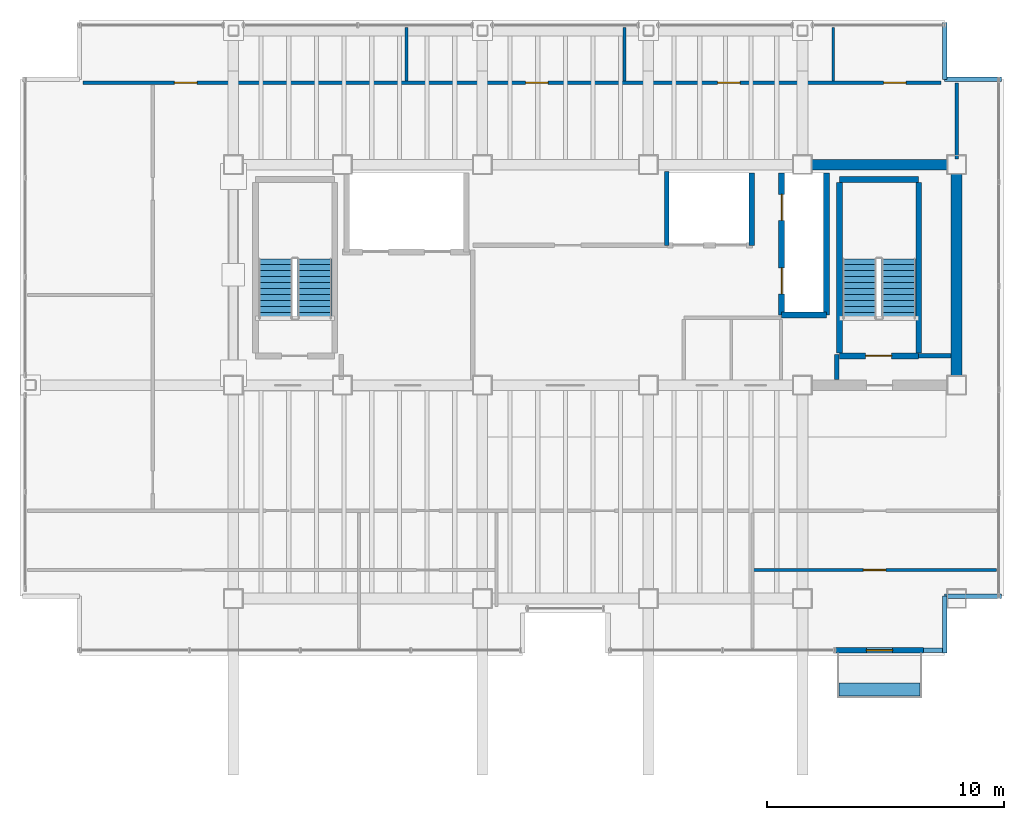
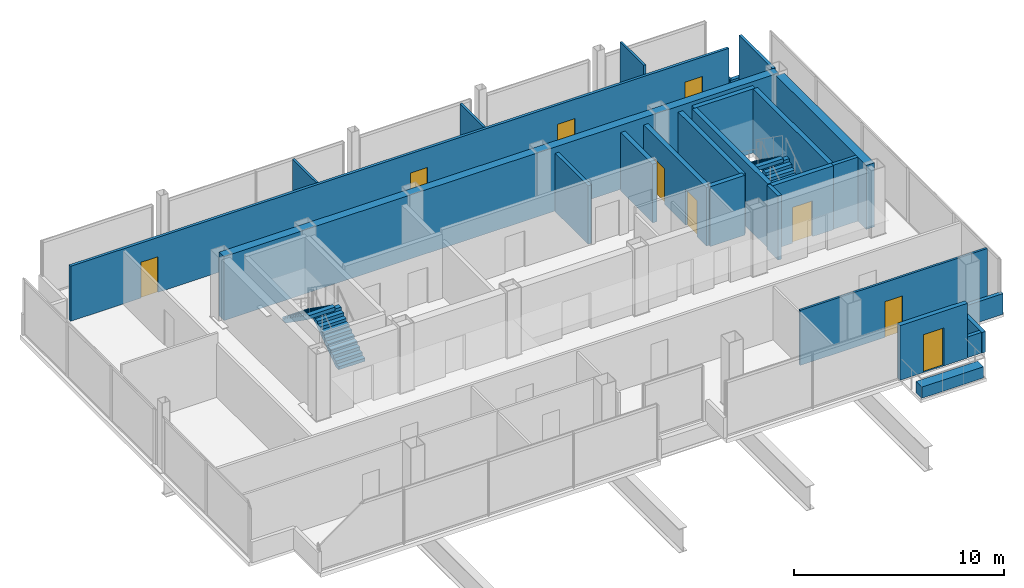
# One storey, part 18 of 19: 25 walls, 9 doors, 4 stair flights, 1 discrete accessory, 9 openings, 2 elements without a shape of their own.
"""IFC4 building model written with IfcOpenShell, lengths in metres."""

from ifc_helpers import new_model, si_unit, direction, frame, frame_2d, origin, origin_2d, place, context, subcontext, project, spatial, polyline, rectangle, outline, extrude, material, layer, layer_set, type_object, element, fill, aggregate, save


model = new_model("IFC4")

# Units and contexts
model_context = context("Model", 3, precision=1e-05, world=origin(), true_north=direction((0.0, 1.0)))
body_context = subcontext(model_context, "Body", "Model", "MODEL_VIEW")
ifc_project = project(units=[si_unit("LENGTHUNIT", "METRE"), si_unit("AREAUNIT", "SQUARE_METRE"), si_unit("VOLUMEUNIT", "CUBIC_METRE"), si_unit("PLANEANGLEUNIT", "RADIAN"), si_unit("MASSUNIT", "GRAM", prefix="KILO")], contexts=[model_context])

# Site, building, storey
site_placement = place(None, origin())
site = spatial("IfcSite", under=ifc_project, at=site_placement, CompositionType="ELEMENT")
building_placement = place(site_placement, origin())
building = spatial("IfcBuilding", under=site, at=building_placement, Name="Noeulbin Bourse Tower", CompositionType="ELEMENT")
storey_placement = place(building_placement, frame((0.0, 0.0, 257.89990234375)))
storey = spatial("IfcBuildingStorey", under=building, at=storey_placement, Name="L64", CompositionType="ELEMENT", Elevation=257.89990234375)

# Walls
ifc_material_1 = material(Name="Concrete C50/60", Category="concrete")
ifc_layer_1 = layer(ifc_material_1, 0.449951171875)
ifc_layer_set_1 = layer_set([ifc_layer_1], Name="Concrete C50/60")
wall_type_1 = type_object("IfcWallType", Name="WAL-CORE-450", PredefinedType="SHEAR", material=ifc_layer_set_1)
wall_1_placement = place(storey_placement, frame((13.5, 38.300048828125, 0.0), z_axis=(0.0, 0.0, 1.0), x_axis=(1.0, 0.0, 0.0)))
element("IfcWall", 1, at=wall_1_placement, inside=storey, type_object=wall_type_1, Name="Rear Core North Shear Wall L64", PredefinedType="SHEAR", context=body_context, shape_type="SweptSolid", body=[
    extrude(rectangle(XDim=30.5, YDim=0.449951171875, at=frame_2d((15.25, 0.0))), origin(), (0.0, 0.0, 1.0), 3.72021484375),
])
wall_2_placement = place(storey_placement, frame((44.0, 29.35009765625, 0.0), z_axis=(0.0, 0.0, 1.0), x_axis=(0.0, 1.0, 0.0)))
element("IfcWall", 2, at=wall_2_placement, inside=storey, type_object=wall_type_1, Name="Rear Core East Shear Wall L64", PredefinedType="SHEAR", context=body_context, shape_type="SweptSolid", body=[
    extrude(rectangle(XDim=8.599853515625, YDim=0.449951171875, at=frame_2d((4.2998046875, 0.0))), origin(), (0.0, 0.0, 1.0), 3.72021484375),
])

# Wall, opening, door
ifc_material_2 = material(Name="Precast Concrete C40/50", Category="concrete")
ifc_layer_2 = layer(ifc_material_2, 0.25)
ifc_layer_set_2 = layer_set([ifc_layer_2], Name="Precast Concrete C40/50")
wall_type_2 = type_object("IfcWallType", Name="WAL-EXT-250", PredefinedType="STANDARD", material=ifc_layer_set_2)
wall_3_placement = place(storey_placement, frame((38.89990234375, 17.820068359375, 0.0), z_axis=(0.0, 0.0, 1.0), x_axis=(1.0, 0.0, 0.0)))
wall_3 = element("IfcWall", 3, at=wall_3_placement, inside=storey, type_object=wall_type_2, Name="Balcony Threshold Wall L64", PredefinedType="STANDARD", context=body_context, shape_type="SweptSolid", body=[
    extrude(rectangle(XDim=3.7001953125, YDim=0.25, at=frame_2d((1.85009765625, 0.0))), origin(), (0.0, 0.0, 1.0), 3.18017578125),
])
opening_1_placement = place(wall_3_placement, frame((1.300048828125, 0.0, 0.0)))
opening_1 = element("IfcOpeningElement", 4, at=opening_1_placement, cuts=wall_3, Name="Opening BD-11", PredefinedType="OPENING", context=body_context, shape_type="SweptSolid", body=[
    extrude(rectangle(XDim=1.10009765625, YDim=2.199951171875, at=frame_2d((0.550048828125, 1.10009765625))), frame((0.0, 0.135009765625, 0.0), z_axis=(0.0, -1.0, 0.0), x_axis=(1.0, 0.0, 0.0)), (0.0, 0.0, 1.0), 0.27001953125),
])
ifc_material_3 = material(Name="Thermally Broken Aluminium Framed Glass", Category="aluminium")
door_type_1 = type_object("IfcDoorType", Name="DR-BAL-1100", OperationType="SINGLE_SWING_LEFT", PredefinedType="DOOR", material=ifc_material_3)
door_1_placement = place(opening_1_placement, origin())
door_1 = element("IfcDoor", 5, at=door_1_placement, inside=storey, type_object=door_type_1, Name="Tree-Balcony Access Door BD-L64", OperationType="SINGLE_SWING_RIGHT", OverallHeight=2.199951171875, OverallWidth=1.10009765625, PredefinedType="DOOR", context=body_context, shape_type="SweptSolid", body=[
    extrude(rectangle(XDim=1.10009765625, YDim=2.199951171875, at=frame_2d((0.550048828125, 1.10009765625))), frame((0.0, 0.02490234375, 0.0), z_axis=(0.0, -1.0, 0.0), x_axis=(1.0, 0.0, 0.0)), (0.0, 0.0, 1.0), 0.050048828125),
])
fill(opening_1, door_1)

# Walls
ifc_material_4 = material(Name="Concrete C40/50", Category="concrete")
ifc_layer_3 = layer(ifc_material_4, 0.199951171875)
ifc_layer_set_3 = layer_set([ifc_layer_3], Name="Concrete C40/50")
wall_type_3 = type_object("IfcWallType", Name="WAL-FIRE-200", PredefinedType="STANDARD", material=ifc_layer_set_3)
wall_4_placement = place(storey_placement, frame((42.39990234375, 30.239990234375, 0.0), z_axis=(0.0, 0.0, 1.0), x_axis=(1.0, 0.0, 0.0)))
element("IfcWall", 6, at=wall_4_placement, inside=storey, type_object=wall_type_3, Name="Interior Partition Wall L64-01", PredefinedType="STANDARD", context=body_context, shape_type="SweptSolid", body=[
    extrude(rectangle(XDim=1.364990234375, YDim=0.199951171875, at=frame_2d((0.6826171875, 0.0))), origin(), (0.0, 0.0, 1.0), 3.72021484375),
])
wall_5_placement = place(storey_placement, frame((38.949951171875, 29.235107421875, 0.0), z_axis=(0.0, 0.0, 1.0), x_axis=(0.0, 1.0, 0.0)))
element("IfcWall", 7, at=wall_5_placement, inside=storey, type_object=wall_type_3, Name="Interior Partition Wall L64-11", PredefinedType="STANDARD", context=body_context, shape_type="SweptSolid", body=[
    extrude(rectangle(XDim=1.06494140625, YDim=0.199951171875, at=frame_2d((0.532470703125, 0.0))), origin(), (0.0, 0.0, 1.0), 3.72021484375),
])
ifc_layer_4 = layer(ifc_material_4, 0.199951171875)
ifc_layer_set_4 = layer_set([ifc_layer_4], Name="Concrete C40/50")
wall_type_4 = type_object("IfcWallType", Name="WAL-PAR-200", PredefinedType="PARAPET", material=ifc_layer_set_4)
wall_6_placement = place(storey_placement, frame((42.60009765625, 17.820068359375, 0.0), z_axis=(0.0, 0.0, 1.0), x_axis=(1.0, 0.0, 0.0)))
element("IfcWall", 8, at=wall_6_placement, inside=storey, type_object=wall_type_4, Name="Perimeter Pier Spandrel Parapet L64-S1", PredefinedType="PARAPET", context=body_context, shape_type="SweptSolid", body=[
    extrude(rectangle(XDim=0.7998046875, YDim=0.199951171875, at=frame_2d((0.39990234375, 0.0))), origin(), (0.0, 0.0, 1.0), 1.2001953125),
])
wall_7_placement = place(storey_placement, frame((43.5, 17.699951171875, 0.0), z_axis=(0.0, 0.0, 1.0), x_axis=(0.0, 1.0, 0.0)))
element("IfcWall", 9, at=wall_7_placement, inside=storey, type_object=wall_type_4, Name="Corner Notch Parapet L64-SE1", PredefinedType="PARAPET", context=body_context, shape_type="SweptSolid", body=[
    extrude(rectangle(XDim=2.400146484375, YDim=0.199951171875, at=frame_2d((1.2001953125, 0.0))), origin(), (0.0, 0.0, 1.0), 1.2001953125),
])
wall_8_placement = place(storey_placement, frame((43.5, 20.10009765625, 0.0), z_axis=(0.0, 0.0, 1.0), x_axis=(1.0, 0.0, 0.0)))
element("IfcWall", 10, at=wall_8_placement, inside=storey, type_object=wall_type_4, Name="Corner Notch Parapet L64-SE2", PredefinedType="PARAPET", context=body_context, shape_type="SweptSolid", body=[
    extrude(rectangle(XDim=2.39990234375, YDim=0.199951171875, at=frame_2d((1.199951171875, 0.0))), origin(), (0.0, 0.0, 1.0), 1.2001953125),
])
wall_9_placement = place(storey_placement, frame((43.5, 44.300048828125, 0.0), z_axis=(0.0, 0.0, 1.0), x_axis=(0.0, -1.0, 0.0)))
element("IfcWall", 11, at=wall_9_placement, inside=storey, type_object=wall_type_4, Name="Corner Notch Parapet L64-NE1", PredefinedType="PARAPET", context=body_context, shape_type="SweptSolid", body=[
    extrude(rectangle(XDim=2.400146484375, YDim=0.199951171875, at=frame_2d((1.2001953125, 0.0))), origin(), (0.0, 0.0, 1.0), 1.2001953125),
])
wall_10_placement = place(storey_placement, frame((43.5, 41.89990234375, 0.0), z_axis=(0.0, 0.0, 1.0), x_axis=(1.0, 0.0, 0.0)))
element("IfcWall", 12, at=wall_10_placement, inside=storey, type_object=wall_type_4, Name="Corner Notch Parapet L64-NE2", PredefinedType="PARAPET", context=body_context, shape_type="SweptSolid", body=[
    extrude(rectangle(XDim=2.39990234375, YDim=0.199951171875, at=frame_2d((1.199951171875, 0.0))), origin(), (0.0, 0.0, 1.0), 1.2001953125),
])

# Wall, opening, door
ifc_material_5 = material(Name="Steel Stud Gypsum Partition", Category="steel")
ifc_layer_5 = layer(ifc_material_5, 0.1201171875)
ifc_layer_set_5 = layer_set([ifc_layer_5], Name="Steel Stud Gypsum Partition")
wall_type_5 = type_object("IfcWallType", Name="WAL-PRT-120", PredefinedType="PARTITIONING", material=ifc_layer_set_5)
wall_11_placement = place(storey_placement, frame((35.39990234375, 21.199951171875, 0.0), z_axis=(0.0, 0.0, 1.0), x_axis=(1.0, 0.0, 0.0)))
wall_11 = element("IfcWall", 13, at=wall_11_placement, inside=storey, type_object=wall_type_5, Name="Interior Partition Wall L64-07", PredefinedType="PARTITIONING", context=body_context, shape_type="SweptSolid", body=[
    extrude(rectangle(XDim=10.2900390625, YDim=0.1201171875, at=frame_2d((5.14501953125, 0.0))), origin(), (0.0, 0.0, 1.0), 3.2001953125),
])
opening_2_placement = place(wall_11_placement, frame((4.669921875, 0.0, 0.0)))
opening_2 = element("IfcOpeningElement", 14, at=opening_2_placement, cuts=wall_11, Name="Opening ID-09", PredefinedType="OPENING", context=body_context, shape_type="SweptSolid", body=[
    extrude(rectangle(XDim=0.949951171875, YDim=2.080078125, at=frame_2d((0.47509765625, 1.0400390625))), frame((0.0, 0.070068359375, 0.0), z_axis=(0.0, -1.0, 0.0), x_axis=(1.0, 0.0, 0.0)), (0.0, 0.0, 1.0), 0.14013671875),
])
ifc_material_6 = material(Name="Acoustic Solid-Core Timber", Category="wood")
door_type_2 = type_object("IfcDoorType", Name="DR-SINGLE-950", OperationType="SINGLE_SWING_LEFT", PredefinedType="DOOR", material=ifc_material_6)
door_2_placement = place(opening_2_placement, origin())
door_2 = element("IfcDoor", 15, at=door_2_placement, inside=storey, type_object=door_type_2, Name="Interior Door L64-13", OperationType="SINGLE_SWING_RIGHT", OverallHeight=2.080078125, OverallWidth=0.949951171875, PredefinedType="DOOR", context=body_context, shape_type="SweptSolid", body=[
    extrude(rectangle(XDim=0.949951171875, YDim=2.080078125, at=frame_2d((0.47509765625, 1.0400390625))), frame((0.0, 0.02490234375, 0.0), z_axis=(0.0, -1.0, 0.0), x_axis=(1.0, 0.0, 0.0)), (0.0, 0.0, 1.0), 0.050048828125),
])
fill(opening_2, door_2)

# Walls
for number, where, z_axis, x_axis, name in (
    (16, (20.800048828125, 41.8349609375, 0.0), (0.0, 0.0, 1.0), (0.0, 1.0, 0.0), "Interior Partition Wall L64-21"),
    (17, (30.0, 41.8349609375, 0.0), (0.0, 0.0, 1.0), (0.0, 1.0, 0.0), "Interior Partition Wall L64-22"),
):
    element("IfcWall", number, at=place(storey_placement, frame(where, z_axis=z_axis, x_axis=x_axis)), inside=storey, type_object=wall_type_5, Name=name, PredefinedType="PARTITIONING", context=body_context, shape_type="SweptSolid", body=[
        extrude(rectangle(XDim=2.255126953125, YDim=0.1201171875, at=frame_2d((1.12744140625, 0.0))), origin(), (0.0, 0.0, 1.0), 3.212158203125),
    ])
wall_12_placement = place(storey_placement, frame((38.800048828125, 41.8349609375, 0.0), z_axis=(0.0, 0.0, 1.0), x_axis=(0.0, 1.0, 0.0)))
element("IfcWall", 18, at=wall_12_placement, inside=storey, type_object=wall_type_5, Name="Interior Partition Wall L64-23", PredefinedType="PARTITIONING", context=body_context, shape_type="SweptSolid", body=[
    extrude(rectangle(XDim=2.255126953125, YDim=0.1201171875, at=frame_2d((1.12744140625, 0.0))), origin(), (0.0, 0.0, 1.0), 3.72021484375),
])

# Wall, openings, doors
ifc_material_7 = material(Name="Steel Stud Acoustic Gypsum Board", Category="steel")
ifc_layer_6 = layer(ifc_material_7, 0.14990234375)
ifc_layer_set_6 = layer_set([ifc_layer_6], Name="Steel Stud Acoustic Gypsum Board")
wall_type_6 = type_object("IfcWallType", Name="WAL-PRT-150", PredefinedType="PARTITIONING", material=ifc_layer_set_6)
wall_13_placement = place(storey_placement, frame((7.159912109375, 41.75, 0.0), z_axis=(0.0, 0.0, 1.0), x_axis=(1.0, 0.0, 0.0)))
wall_13 = element("IfcWall", 19, at=wall_13_placement, inside=storey, type_object=wall_type_6, Name="Interior Partition Wall L64-09", PredefinedType="PARTITIONING", context=body_context, shape_type="SweptSolid", body=[
    extrude(rectangle(XDim=36.18017578125, YDim=0.14990234375, at=frame_2d((18.090087890625, 0.0))), origin(), (0.0, 0.0, 1.0), 3.2001953125),
])
opening_3_placement = place(wall_13_placement, frame((3.85498046875, 0.0, 0.0)))
opening_3 = element("IfcOpeningElement", 20, at=opening_3_placement, cuts=wall_13, Name="Opening ID-09", PredefinedType="OPENING", context=body_context, shape_type="SweptSolid", body=[
    extrude(rectangle(XDim=0.949951171875, YDim=2.080078125, at=frame_2d((0.47509765625, 1.0400390625))), frame((0.0, 0.0849609375, 0.0), z_axis=(0.0, -1.0, 0.0), x_axis=(1.0, 0.0, 0.0)), (0.0, 0.0, 1.0), 0.169921875),
])
opening_4_placement = place(wall_13_placement, frame((18.6650390625, 0.0, 0.0)))
opening_4 = element("IfcOpeningElement", 21, at=opening_4_placement, cuts=wall_13, Name="Opening ID-09", PredefinedType="OPENING", context=body_context, shape_type="SweptSolid", body=[
    extrude(rectangle(XDim=0.949951171875, YDim=2.080078125, at=frame_2d((0.47509765625, 1.0400390625))), frame((0.0, 0.0849609375, 0.0), z_axis=(0.0, -1.0, 0.0), x_axis=(1.0, 0.0, 0.0)), (0.0, 0.0, 1.0), 0.169921875),
])
opening_5_placement = place(wall_13_placement, frame((26.764892578125, 0.0, 0.0)))
opening_5 = element("IfcOpeningElement", 22, at=opening_5_placement, cuts=wall_13, Name="Opening ID-09", PredefinedType="OPENING", context=body_context, shape_type="SweptSolid", body=[
    extrude(rectangle(XDim=0.949951171875, YDim=2.080078125, at=frame_2d((0.47509765625, 1.0400390625))), frame((0.0, 0.0849609375, 0.0), z_axis=(0.0, -1.0, 0.0), x_axis=(1.0, 0.0, 0.0)), (0.0, 0.0, 1.0), 0.169921875),
])
opening_6_placement = place(wall_13_placement, frame((33.764892578125, 0.0, 0.0)))
opening_6 = element("IfcOpeningElement", 23, at=opening_6_placement, cuts=wall_13, Name="Opening ID-09", PredefinedType="OPENING", context=body_context, shape_type="SweptSolid", body=[
    extrude(rectangle(XDim=0.949951171875, YDim=2.080078125, at=frame_2d((0.47509765625, 1.0400390625))), frame((0.0, 0.0849609375, 0.0), z_axis=(0.0, -1.0, 0.0), x_axis=(1.0, 0.0, 0.0)), (0.0, 0.0, 1.0), 0.169921875),
])
door_3_placement = place(opening_3_placement, origin())
door_3 = element("IfcDoor", 24, at=door_3_placement, inside=storey, type_object=door_type_2, Name="Interior Door L64-17", OperationType="SINGLE_SWING_RIGHT", OverallHeight=2.080078125, OverallWidth=0.949951171875, PredefinedType="DOOR", context=body_context, shape_type="SweptSolid", body=[
    extrude(rectangle(XDim=0.949951171875, YDim=2.080078125, at=frame_2d((0.47509765625, 1.0400390625))), frame((0.0, 0.02490234375, 0.0), z_axis=(0.0, -1.0, 0.0), x_axis=(1.0, 0.0, 0.0)), (0.0, 0.0, 1.0), 0.050048828125),
])
fill(opening_3, door_3)
door_4_placement = place(opening_4_placement, origin())
door_4 = element("IfcDoor", 25, at=door_4_placement, inside=storey, type_object=door_type_2, Name="Interior Door L64-18", OperationType="SINGLE_SWING_LEFT", OverallHeight=2.080078125, OverallWidth=0.949951171875, PredefinedType="DOOR", context=body_context, shape_type="SweptSolid", body=[
    extrude(rectangle(XDim=0.949951171875, YDim=2.080078125, at=frame_2d((0.47509765625, 1.0400390625))), frame((0.0, 0.02490234375, 0.0), z_axis=(0.0, -1.0, 0.0), x_axis=(1.0, 0.0, 0.0)), (0.0, 0.0, 1.0), 0.050048828125),
])
fill(opening_4, door_4)
door_5_placement = place(opening_5_placement, origin())
door_5 = element("IfcDoor", 26, at=door_5_placement, inside=storey, type_object=door_type_2, Name="Interior Door L64-19", OperationType="SINGLE_SWING_RIGHT", OverallHeight=2.080078125, OverallWidth=0.949951171875, PredefinedType="DOOR", context=body_context, shape_type="SweptSolid", body=[
    extrude(rectangle(XDim=0.949951171875, YDim=2.080078125, at=frame_2d((0.47509765625, 1.0400390625))), frame((0.0, 0.02490234375, 0.0), z_axis=(0.0, -1.0, 0.0), x_axis=(1.0, 0.0, 0.0)), (0.0, 0.0, 1.0), 0.050048828125),
])
fill(opening_5, door_5)
door_6_placement = place(opening_6_placement, origin())
door_6 = element("IfcDoor", 27, at=door_6_placement, inside=storey, type_object=door_type_2, Name="Interior Door L64-20", OperationType="SINGLE_SWING_LEFT", OverallHeight=2.080078125, OverallWidth=0.949951171875, PredefinedType="DOOR", context=body_context, shape_type="SweptSolid", body=[
    extrude(rectangle(XDim=0.949951171875, YDim=2.080078125, at=frame_2d((0.47509765625, 1.0400390625))), frame((0.0, 0.02490234375, 0.0), z_axis=(0.0, -1.0, 0.0), x_axis=(1.0, 0.0, 0.0)), (0.0, 0.0, 1.0), 0.050048828125),
])
fill(opening_6, door_6)

# Wall
wall_14_placement = place(storey_placement, frame((44.0, 38.534912109375, 0.0), z_axis=(0.0, 0.0, 1.0), x_axis=(0.0, 1.0, 0.0)))
element("IfcWall", 28, at=wall_14_placement, inside=storey, type_object=wall_type_6, Name="Interior Partition Wall L64-20", PredefinedType="PARTITIONING", context=body_context, shape_type="SweptSolid", body=[
    extrude(rectangle(XDim=3.205078125, YDim=0.14990234375, at=frame_2d((1.6025390625, 0.0))), origin(), (0.0, 0.0, 1.0), 3.72021484375),
])

# Wall, opening, door
ifc_layer_7 = layer(ifc_material_4, 0.25)
ifc_layer_set_7 = layer_set([ifc_layer_7], Name="Concrete C40/50")
wall_type_7 = type_object("IfcWallType", Name="WAL-SHFT-250", PredefinedType="STANDARD", material=ifc_layer_set_7)
wall_15_placement = place(storey_placement, frame((39.06005859375, 30.235107421875, 0.0), z_axis=(0.0, 0.0, 1.0), x_axis=(1.0, 0.0, 0.0)))
wall_15 = element("IfcWall", 29, at=wall_15_placement, inside=storey, type_object=wall_type_7, Name="Stair ST-2 South Shaft Wall L64", PredefinedType="STANDARD", context=body_context, shape_type="SweptSolid", body=[
    extrude(rectangle(XDim=3.33984375, YDim=0.25, at=frame_2d((1.669921875, 0.0))), origin(), (0.0, 0.0, 1.0), 3.72021484375),
])
opening_7_placement = place(wall_15_placement, frame((1.10009765625, 0.0, 0.0)))
opening_7 = element("IfcOpeningElement", 30, at=opening_7_placement, cuts=wall_15, Name="Opening FD-11", PredefinedType="OPENING", context=body_context, shape_type="SweptSolid", body=[
    extrude(rectangle(XDim=1.10009765625, YDim=2.080078125, at=frame_2d((0.550048828125, 1.0400390625))), frame((0.0, 0.135009765625, 0.0), z_axis=(0.0, -1.0, 0.0), x_axis=(1.0, 0.0, 0.0)), (0.0, 0.0, 1.0), 0.27001953125),
])
ifc_material_8 = material(Name="Fire-Rated Insulated Steel", Category="steel")
door_type_3 = type_object("IfcDoorType", Name="DR-FD60-1100", OperationType="SINGLE_SWING_LEFT", PredefinedType="DOOR", material=ifc_material_8)
door_7_placement = place(opening_7_placement, origin())
door_7 = element("IfcDoor", 31, at=door_7_placement, inside=storey, type_object=door_type_3, Name="Protected Stair Entry Door ST2-L64", OperationType="SINGLE_SWING_LEFT", OverallHeight=2.080078125, OverallWidth=1.10009765625, PredefinedType="DOOR", context=body_context, shape_type="SweptSolid", body=[
    extrude(rectangle(XDim=1.10009765625, YDim=2.080078125, at=frame_2d((0.550048828125, 1.0400390625))), frame((0.0, 0.02490234375, 0.0), z_axis=(0.0, -1.0, 0.0), x_axis=(1.0, 0.0, 0.0)), (0.0, 0.0, 1.0), 0.050048828125),
])
fill(opening_7, door_7)

# Walls
wall_16_placement = place(storey_placement, frame((39.06005859375, 37.6689453125, 0.0), z_axis=(0.0, 0.0, 1.0), x_axis=(1.0, 0.0, 0.0)))
element("IfcWall", 32, at=wall_16_placement, inside=storey, type_object=wall_type_7, Name="Stair ST-2 North Shaft Wall L64", PredefinedType="STANDARD", context=body_context, shape_type="SweptSolid", body=[
    extrude(rectangle(XDim=3.33984375, YDim=0.25, at=frame_2d((1.669921875, 0.0))), origin(), (0.0, 0.0, 1.0), 3.72021484375),
])
for number, where, z_axis, x_axis, name in (
    (33, (39.054931640625, 30.360107421875, 0.0), (0.0, 0.0, 1.0), (0.0, 1.0, 0.0), "Stair ST-2 West Shaft Wall L64"),
    (34, (42.405029296875, 30.360107421875, 0.0), (0.0, 0.0, 1.0), (0.0, 1.0, 0.0), "Stair ST-2 East Shaft Wall L64"),
):
    element("IfcWall", number, at=place(storey_placement, frame(where, z_axis=z_axis, x_axis=x_axis)), inside=storey, type_object=wall_type_7, Name=name, PredefinedType="STANDARD", context=body_context, shape_type="SweptSolid", body=[
        extrude(rectangle(XDim=7.183837890625, YDim=0.25, at=frame_2d((3.591796875, 0.0))), origin(), (0.0, 0.0, 1.0), 3.72021484375),
    ])

# Wall, openings, doors
wall_17_placement = place(storey_placement, frame((36.6201171875, 31.949951171875, 0.0), z_axis=(0.0, 0.0, 1.0), x_axis=(0.0, 1.0, 0.0)))
wall_17 = element("IfcWall", 35, at=wall_17_placement, inside=storey, type_object=wall_type_7, Name="Service Lift Shaft Wall L64", PredefinedType="STANDARD", context=body_context, shape_type="SweptSolid", body=[
    extrude(rectangle(XDim=6.0, YDim=0.25, at=frame_2d((3.0, 0.0))), origin(), (0.0, 0.0, 1.0), 3.400146484375),
])
opening_8_placement = place(wall_17_placement, frame((0.89990234375, 0.0, 0.0)))
opening_8 = element("IfcOpeningElement", 36, at=opening_8_placement, cuts=wall_17, Name="Opening LD-11", PredefinedType="OPENING", context=body_context, shape_type="SweptSolid", body=[
    extrude(rectangle(XDim=1.10009765625, YDim=2.080078125, at=frame_2d((0.550048828125, 1.0400390625))), frame((0.0, 0.135009765625, 0.0), z_axis=(0.0, -1.0, 0.0), x_axis=(1.0, 0.0, 0.0)), (0.0, 0.0, 1.0), 0.27001953125),
])
opening_9_placement = place(wall_17_placement, frame((4.0, 0.0, 0.0)))
opening_9 = element("IfcOpeningElement", 37, at=opening_9_placement, cuts=wall_17, Name="Opening LD-11", PredefinedType="OPENING", context=body_context, shape_type="SweptSolid", body=[
    extrude(rectangle(XDim=1.10009765625, YDim=2.080078125, at=frame_2d((0.550048828125, 1.0400390625))), frame((0.0, 0.135009765625, 0.0), z_axis=(0.0, -1.0, 0.0), x_axis=(1.0, 0.0, 0.0)), (0.0, 0.0, 1.0), 0.27001953125),
])
ifc_material_9 = material(Name="Brushed Stainless Steel 316", Category="steel")
door_type_4 = type_object("IfcDoorType", Name="DR-LIFT-1100", OperationType="SLIDING_TO_LEFT", PredefinedType="DOOR", material=ifc_material_9)
door_8_placement = place(opening_8_placement, origin())
door_8 = element("IfcDoor", 38, at=door_8_placement, inside=storey, type_object=door_type_4, Name="Lift Landing Door LD-EL-01-L64", OperationType="SLIDING_TO_LEFT", OverallHeight=2.080078125, OverallWidth=1.10009765625, PredefinedType="DOOR", context=body_context, shape_type="SweptSolid", body=[
    extrude(rectangle(XDim=1.10009765625, YDim=2.080078125, at=frame_2d((0.550048828125, 1.0400390625))), frame((0.0, 0.02490234375, 0.0), z_axis=(0.0, -1.0, 0.0), x_axis=(1.0, 0.0, 0.0)), (0.0, 0.0, 1.0), 0.050048828125),
])
fill(opening_8, door_8)
door_9_placement = place(opening_9_placement, origin())
door_9 = element("IfcDoor", 39, at=door_9_placement, inside=storey, type_object=door_type_4, Name="Lift Landing Door LD-SV-01-L64", OperationType="SLIDING_TO_LEFT", OverallHeight=2.080078125, OverallWidth=1.10009765625, PredefinedType="DOOR", context=body_context, shape_type="SweptSolid", body=[
    extrude(rectangle(XDim=1.10009765625, YDim=2.080078125, at=frame_2d((0.550048828125, 1.0400390625))), frame((0.0, 0.02490234375, 0.0), z_axis=(0.0, -1.0, 0.0), x_axis=(1.0, 0.0, 0.0)), (0.0, 0.0, 1.0), 0.050048828125),
])
fill(opening_9, door_9)

# Walls
wall_18_placement = place(storey_placement, frame((38.52001953125, 31.949951171875, 0.0), z_axis=(0.0, 0.0, 1.0), x_axis=(0.0, 1.0, 0.0)))
element("IfcWall", 40, at=wall_18_placement, inside=storey, type_object=wall_type_7, Name="Service Lift East Shaft Wall L64", PredefinedType="STANDARD", context=body_context, shape_type="SweptSolid", body=[
    extrude(rectangle(XDim=6.0, YDim=0.25, at=frame_2d((3.0, 0.0))), origin(), (0.0, 0.0, 1.0), 3.47998046875),
])
wall_19_placement = place(storey_placement, frame((36.6201171875, 31.949951171875, 0.0), z_axis=(0.0, 0.0, 1.0), x_axis=(1.0, 0.0, 0.0)))
element("IfcWall", 41, at=wall_19_placement, inside=storey, type_object=wall_type_7, Name="Service Lift South Shaft Wall L64", PredefinedType="STANDARD", context=body_context, shape_type="SweptSolid", body=[
    extrude(rectangle(XDim=1.89990234375, YDim=0.25, at=frame_2d((0.949951171875, 0.0))), origin(), (0.0, 0.0, 1.0), 3.47998046875),
])
wall_20_placement = place(storey_placement, frame((35.360107421875, 34.89990234375, 0.0), z_axis=(0.0, 0.0, 1.0), x_axis=(0.0, 1.0, 0.0)))
element("IfcWall", 42, at=wall_20_placement, inside=storey, type_object=wall_type_7, Name="High-Rise Lift East Shaft Wall L64", PredefinedType="STANDARD", context=body_context, shape_type="SweptSolid", body=[
    extrude(rectangle(XDim=3.050048828125, YDim=0.25, at=frame_2d((1.52490234375, 0.0))), origin(), (0.0, 0.0, 1.0), 3.400146484375),
])
wall_21_placement = place(storey_placement, frame((31.780029296875, 34.89990234375, 0.0), z_axis=(0.0, 0.0, 1.0), x_axis=(0.0, 1.0, 0.0)))
element("IfcWall", 43, at=wall_21_placement, inside=storey, type_object=wall_type_7, Name="Hoistway Side Shaft Wall L64-PLHW", PredefinedType="STANDARD", context=body_context, shape_type="SweptSolid", body=[
    extrude(rectangle(XDim=3.1201171875, YDim=0.199951171875, at=frame_2d((1.56005859375, 0.0))), origin(), (0.0, 0.0, 1.0), 3.400146484375),
])

# Stair, stair flights
stair_type = type_object("IfcStairType", Name="STR-CORE-1560", PredefinedType="HALF_TURN_STAIR", material=ifc_material_4)
stair_1_placement = place(storey_placement, origin())
stair_1 = element("IfcStair", 44, at=stair_1_placement, inside=storey, type_object=stair_type, Name="L64 ST-1", PredefinedType="HALF_TURN_STAIR")
stair_flight_type = type_object("IfcStairFlightType", Name="SFL-CORE-1560", PredefinedType="STRAIGHT", material=ifc_material_4)
stair_flight_1_placement = place(storey_placement, frame((16.925048828125, 31.81005859375, 0.0), z_axis=(0.0, 0.0, 1.0), x_axis=(0.0, 1.0, 0.0)))
stair_flight_1 = element("IfcStairFlight", 45, at=stair_flight_1_placement, type_object=stair_flight_type, Name="ST-1 flight 1", NumberOfRisers=11, NumberOfTreads=10, PredefinedType="STRAIGHT", RiserHeight=0.177272727, TreadLength=0.252, context=body_context, shape_type="SweptSolid", body=[
    extrude(outline(polyline([(0.0, 0.0), (0.0, 0.17724609375), (0.251953125, 0.17724609375), (0.251953125, 0.3544921875), (0.50390625, 0.3544921875), (0.50390625, 0.53173828125), (0.756103515625, 0.53173828125), (0.756103515625, 0.708984375), (1.008056640625, 0.708984375), (1.008056640625, 0.886474609375), (1.260009765625, 0.886474609375), (1.260009765625, 1.063720703125), (1.511962890625, 1.063720703125), (1.511962890625, 1.240966796875), (1.763916015625, 1.240966796875), (1.763916015625, 1.418212890625), (2.01611328125, 1.418212890625), (2.01611328125, 1.595458984375), (2.26806640625, 1.595458984375), (2.26806640625, 1.772705078125), (2.52001953125, 1.772705078125), (2.52001953125, 1.949951171875), (2.52001953125, 1.552734375), (0.312744140625, 0.0), (0.0, 0.0)])), frame((0.0, 0.72509765625, 0.0), z_axis=(0.0, -1.0, 0.0), x_axis=(1.0, 0.0, 0.0)), (0.0, 0.0, 1.0), 1.449951171875),
])
stair_flight_2_placement = place(storey_placement, frame((15.27490234375, 34.330078125, 1.9501953125), z_axis=(0.0, 0.0, 1.0), x_axis=(0.0, -1.0, 0.0)))
stair_flight_2 = element("IfcStairFlight", 46, at=stair_flight_2_placement, type_object=stair_flight_type, Name="ST-1 flight 2", NumberOfRisers=11, NumberOfTreads=10, PredefinedType="STRAIGHT", RiserHeight=0.177272727, TreadLength=0.252, context=body_context, shape_type="SweptSolid", body=[
    extrude(outline(polyline([(0.0, 0.0), (0.0, 0.17724609375), (0.251953125, 0.17724609375), (0.251953125, 0.3544921875), (0.50390625, 0.3544921875), (0.50390625, 0.53173828125), (0.756103515625, 0.53173828125), (0.756103515625, 0.708984375), (1.008056640625, 0.708984375), (1.008056640625, 0.886474609375), (1.260009765625, 0.886474609375), (1.260009765625, 1.063720703125), (1.511962890625, 1.063720703125), (1.511962890625, 1.240966796875), (1.763916015625, 1.240966796875), (1.763916015625, 1.418212890625), (2.01611328125, 1.418212890625), (2.01611328125, 1.595458984375), (2.26806640625, 1.595458984375), (2.26806640625, 1.772705078125), (2.52001953125, 1.772705078125), (2.52001953125, 1.949951171875), (2.52001953125, 1.552734375), (0.312744140625, 0.0), (0.0, 0.0)])), frame((0.0, 0.72509765625, 0.0), z_axis=(0.0, -1.0, 0.0), x_axis=(1.0, 0.0, 0.0)), (0.0, 0.0, 1.0), 1.449951171875),
])
aggregate(stair_1, [stair_flight_1, stair_flight_2])

stair_2_placement = place(storey_placement, origin())
stair_2 = element("IfcStair", 47, at=stair_2_placement, inside=storey, type_object=stair_type, Name="L64 ST-2", PredefinedType="HALF_TURN_STAIR")
stair_flight_3_placement = place(storey_placement, frame((41.554931640625, 31.81005859375, 0.0), z_axis=(0.0, 0.0, 1.0), x_axis=(0.0, 1.0, 0.0)))
stair_flight_3 = element("IfcStairFlight", 48, at=stair_flight_3_placement, type_object=stair_flight_type, Name="ST-2 flight 1", NumberOfRisers=11, NumberOfTreads=10, PredefinedType="STRAIGHT", RiserHeight=0.177272727, TreadLength=0.252, context=body_context, shape_type="SweptSolid", body=[
    extrude(outline(polyline([(0.0, 0.0), (0.0, 0.17724609375), (0.251953125, 0.17724609375), (0.251953125, 0.3544921875), (0.50390625, 0.3544921875), (0.50390625, 0.53173828125), (0.756103515625, 0.53173828125), (0.756103515625, 0.708984375), (1.008056640625, 0.708984375), (1.008056640625, 0.886474609375), (1.260009765625, 0.886474609375), (1.260009765625, 1.063720703125), (1.511962890625, 1.063720703125), (1.511962890625, 1.240966796875), (1.763916015625, 1.240966796875), (1.763916015625, 1.418212890625), (2.01611328125, 1.418212890625), (2.01611328125, 1.595458984375), (2.26806640625, 1.595458984375), (2.26806640625, 1.772705078125), (2.52001953125, 1.772705078125), (2.52001953125, 1.949951171875), (2.52001953125, 1.552734375), (0.312744140625, 0.0), (0.0, 0.0)])), frame((0.0, 0.72509765625, 0.0), z_axis=(0.0, -1.0, 0.0), x_axis=(1.0, 0.0, 0.0)), (0.0, 0.0, 1.0), 1.449951171875),
])
stair_flight_4_placement = place(storey_placement, frame((39.905029296875, 34.330078125, 1.9501953125), z_axis=(0.0, 0.0, 1.0), x_axis=(0.0, -1.0, 0.0)))
stair_flight_4 = element("IfcStairFlight", 49, at=stair_flight_4_placement, type_object=stair_flight_type, Name="ST-2 flight 2", NumberOfRisers=11, NumberOfTreads=10, PredefinedType="STRAIGHT", RiserHeight=0.177272727, TreadLength=0.252, context=body_context, shape_type="SweptSolid", body=[
    extrude(outline(polyline([(0.0, 0.0), (0.0, 0.17724609375), (0.251953125, 0.17724609375), (0.251953125, 0.3544921875), (0.50390625, 0.3544921875), (0.50390625, 0.53173828125), (0.756103515625, 0.53173828125), (0.756103515625, 0.708984375), (1.008056640625, 0.708984375), (1.008056640625, 0.886474609375), (1.260009765625, 0.886474609375), (1.260009765625, 1.063720703125), (1.511962890625, 1.063720703125), (1.511962890625, 1.240966796875), (1.763916015625, 1.240966796875), (1.763916015625, 1.418212890625), (2.01611328125, 1.418212890625), (2.01611328125, 1.595458984375), (2.26806640625, 1.595458984375), (2.26806640625, 1.772705078125), (2.52001953125, 1.772705078125), (2.52001953125, 1.949951171875), (2.52001953125, 1.552734375), (0.312744140625, 0.0), (0.0, 0.0)])), frame((0.0, 0.72509765625, 0.0), z_axis=(0.0, -1.0, 0.0), x_axis=(1.0, 0.0, 0.0)), (0.0, 0.0, 1.0), 1.449951171875),
])
aggregate(stair_2, [stair_flight_3, stair_flight_4])

# Discrete accessory
ifc_material_10 = material(Name="Architectural GFRC Concrete C40/50", Category="concrete")
ifc_layer_8 = layer(ifc_material_10, 0.64990234375)
ifc_layer_set_8 = layer_set([ifc_layer_8], Name="Architectural GFRC Concrete C40/50")
discrete_accessory_type = type_object("IfcDiscreteAccessoryType", Name="PLANTER-BOX-3600", PredefinedType="USERDEFINED", material=ifc_layer_set_8)
discrete_accessory_placement = place(storey_placement, frame((40.75, 16.159912109375, 0.000244140625), z_axis=(0.0, 0.0, 1.0), x_axis=(1.0, 0.0, 0.0)))
element("IfcDiscreteAccessory", 50, at=discrete_accessory_placement, inside=storey, type_object=discrete_accessory_type, Name="Integrated Balcony Tree Planter Box L64", ObjectType="PLANTER", PredefinedType="USERDEFINED", context=body_context, shape_type="SweptSolid", body=[
    extrude(rectangle(XDim=3.39990234375, YDim=0.550048828125, at=origin_2d()), origin(), (0.0, 0.0, 1.0), 0.64990234375),
])

save(model, "model.ifc")
